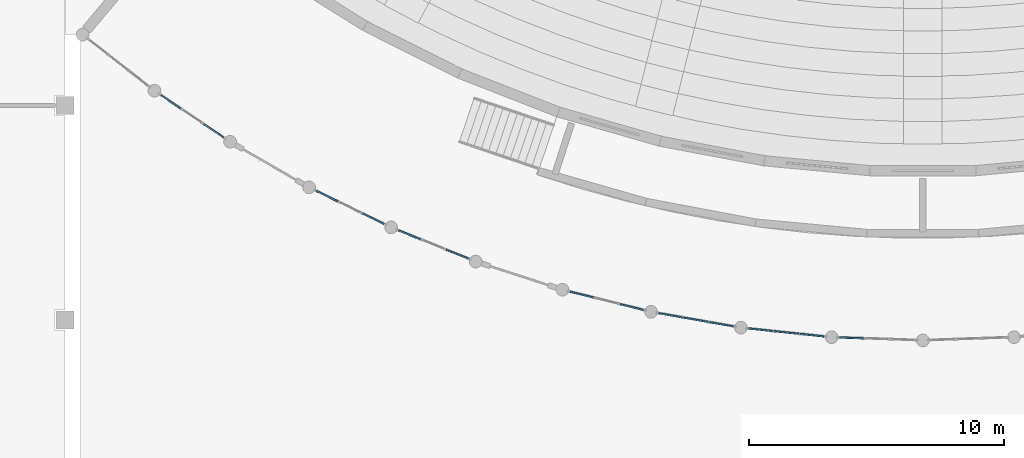
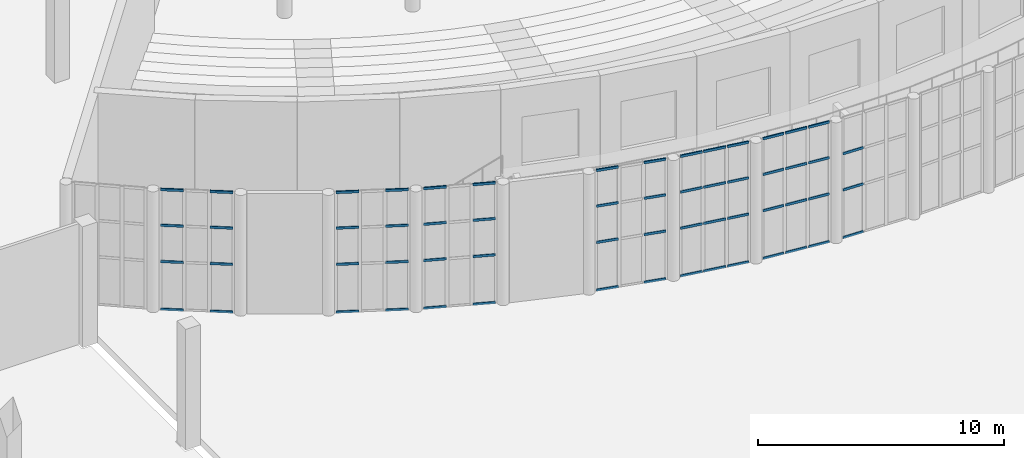
# One storey, part 74 of 210: 59 members, 7 elements without a shape of their own.
"""IFC4 building model written with IfcOpenShell, lengths in metres."""

from ifc_helpers import new_model, si_unit, direction, frame, origin, origin_2d, place, context, subcontext, project, spatial, rectangle, extrude, material, layer, layer_set, material_profile, profile_set, type_object, element, aggregate, save


model = new_model("IFC4")

# Units and contexts
model_context = context("Model", 3, precision=1e-05, world=origin(), true_north=direction((0.0, 1.0)))
body_context = subcontext(model_context, "Body", "Model", "MODEL_VIEW")
ifc_project = project(units=[si_unit("LENGTHUNIT", "METRE"), si_unit("AREAUNIT", "SQUARE_METRE"), si_unit("VOLUMEUNIT", "CUBIC_METRE"), si_unit("PLANEANGLEUNIT", "RADIAN"), si_unit("MASSUNIT", "GRAM", prefix="KILO")], contexts=[model_context])

# Site, building, storey
site_placement = place(None, origin())
site = spatial("IfcSite", under=ifc_project, at=site_placement, CompositionType="ELEMENT")
building_placement = place(site_placement, origin())
building = spatial("IfcBuilding", under=site, at=building_placement, Name="Rain Tree Exposition and Congress Centre", CompositionType="ELEMENT")
storey_placement = place(building_placement, origin())
storey = spatial("IfcBuildingStorey", under=building, at=storey_placement, Name="L00", CompositionType="ELEMENT", Elevation=0.0)

# Curtain wall, members
ifc_material_1 = material(Name="Aluminium", Category="aluminium")
ifc_layer = layer(ifc_material_1, 0.10009765625)
ifc_layer_set = layer_set([ifc_layer], Name="Aluminium")
curtain_wall_type = type_object("IfcCurtainWallType", Name="Curtain wall congress", PredefinedType="NOTDEFINED", material=ifc_layer_set)
curtain_wall_1_placement = place(storey_placement, origin())
curtain_wall_1 = element("IfcCurtainWall", 1, at=curtain_wall_1_placement, inside=storey, type_object=curtain_wall_type, Name="Curtain wall L00 bay 2", PredefinedType="NOTDEFINED")
ifc_material_2 = material(Name="Aluminium", Category="aluminium")
ifc_material_profile = material_profile(ifc_material_2, rectangle(XDim=0.06005859375, YDim=0.1201171875, at=origin_2d()), Name="AL 60x120")
ifc_profile_set = profile_set([ifc_material_profile], Name="Aluminium")
member_type = type_object("IfcMemberType", Name="Curtain wall transom 60x120 congress", PredefinedType="USERDEFINED", material=ifc_profile_set)
member_1_placement = place(storey_placement, frame((171.762451171875, 25.60498046875, 0.030029296875), z_axis=(0.828942550457, -0.559333753712, 0.0), x_axis=(0.559333753712, 0.828942550457, 0.0)))
member_1 = element("IfcMember", 2, at=member_1_placement, type_object=member_type, Name="CWG102 transom 1.1", ObjectType="TRANSOM", PredefinedType="USERDEFINED", context=body_context, shape_type="SweptSolid", body=[
    extrude(rectangle(XDim=0.06005859375, YDim=0.1201171875, at=origin_2d()), origin(), (0.0, 0.0, 1.0), 0.9345703125),
])
member_2_placement = place(storey_placement, frame((171.762451171875, 25.60498046875, 2.39990234375), z_axis=(0.828942550457, -0.559333753712, 0.0), x_axis=(0.559333753712, 0.828942550457, 0.0)))
member_2 = element("IfcMember", 3, at=member_2_placement, type_object=member_type, Name="CWG102 transom 1.2", ObjectType="TRANSOM", PredefinedType="USERDEFINED", context=body_context, shape_type="SweptSolid", body=[
    extrude(rectangle(XDim=0.06005859375, YDim=0.1201171875, at=origin_2d()), origin(), (0.0, 0.0, 1.0), 0.9345703125),
])
member_3_placement = place(storey_placement, frame((171.762451171875, 25.60498046875, 4.199951171875), z_axis=(0.828942550457, -0.559333753712, 0.0), x_axis=(0.559333753712, 0.828942550457, 0.0)))
member_3 = element("IfcMember", 4, at=member_3_placement, type_object=member_type, Name="CWG102 transom 1.3", ObjectType="TRANSOM", PredefinedType="USERDEFINED", context=body_context, shape_type="SweptSolid", body=[
    extrude(rectangle(XDim=0.06005859375, YDim=0.1201171875, at=origin_2d()), origin(), (0.0, 0.0, 1.0), 0.9345703125),
])
member_4_placement = place(storey_placement, frame((171.762451171875, 25.60498046875, 5.969970703125), z_axis=(0.828942550457, -0.559333753712, 0.0), x_axis=(0.559333753712, 0.828942550457, 0.0)))
member_4 = element("IfcMember", 5, at=member_4_placement, type_object=member_type, Name="CWG102 transom 1.4", ObjectType="TRANSOM", PredefinedType="USERDEFINED", context=body_context, shape_type="SweptSolid", body=[
    extrude(rectangle(XDim=0.06005859375, YDim=0.1201171875, at=origin_2d()), origin(), (0.0, 0.0, 1.0), 0.9345703125),
])
member_5_placement = place(storey_placement, frame((173.436279296875, 24.475830078125, 0.030029296875), z_axis=(0.829145343923, -0.559033092626, 0.0), x_axis=(0.559033092626, 0.829145343923, 0.0)))
member_5 = element("IfcMember", 6, at=member_5_placement, type_object=member_type, Name="CWG102 transom 3.1", ObjectType="TRANSOM", PredefinedType="USERDEFINED", context=body_context, shape_type="SweptSolid", body=[
    extrude(rectangle(XDim=0.06005859375, YDim=0.1201171875, at=origin_2d()), origin(), (0.0, 0.0, 1.0), 0.9345703125),
])
member_6_placement = place(storey_placement, frame((173.436279296875, 24.475830078125, 2.39990234375), z_axis=(0.829145343923, -0.559033092626, 0.0), x_axis=(0.559033092626, 0.829145343923, 0.0)))
member_6 = element("IfcMember", 7, at=member_6_placement, type_object=member_type, Name="CWG102 transom 3.2", ObjectType="TRANSOM", PredefinedType="USERDEFINED", context=body_context, shape_type="SweptSolid", body=[
    extrude(rectangle(XDim=0.06005859375, YDim=0.1201171875, at=origin_2d()), origin(), (0.0, 0.0, 1.0), 0.9345703125),
])
member_7_placement = place(storey_placement, frame((173.436279296875, 24.475830078125, 4.199951171875), z_axis=(0.829145343923, -0.559033092626, 0.0), x_axis=(0.559033092626, 0.829145343923, 0.0)))
member_7 = element("IfcMember", 8, at=member_7_placement, type_object=member_type, Name="CWG102 transom 3.3", ObjectType="TRANSOM", PredefinedType="USERDEFINED", context=body_context, shape_type="SweptSolid", body=[
    extrude(rectangle(XDim=0.06005859375, YDim=0.1201171875, at=origin_2d()), origin(), (0.0, 0.0, 1.0), 0.9345703125),
])
member_8_placement = place(storey_placement, frame((173.436279296875, 24.475830078125, 5.969970703125), z_axis=(0.829145343923, -0.559033092626, 0.0), x_axis=(0.559033092626, 0.829145343923, 0.0)))
member_8 = element("IfcMember", 9, at=member_8_placement, type_object=member_type, Name="CWG102 transom 3.4", ObjectType="TRANSOM", PredefinedType="USERDEFINED", context=body_context, shape_type="SweptSolid", body=[
    extrude(rectangle(XDim=0.06005859375, YDim=0.1201171875, at=origin_2d()), origin(), (0.0, 0.0, 1.0), 0.9345703125),
])
aggregate(curtain_wall_1, [member_1, member_2, member_3, member_4, member_5, member_6, member_7, member_8])

curtain_wall_2_placement = place(storey_placement, origin())
curtain_wall_2 = element("IfcCurtainWall", 10, at=curtain_wall_2_placement, inside=storey, type_object=curtain_wall_type, Name="Curtain wall L00 bay 4", PredefinedType="NOTDEFINED")
member_9_placement = place(storey_placement, frame((177.841796875, 21.857177734375, 0.030029296875), z_axis=(0.89877346762, -0.438413336821, 0.0), x_axis=(0.438413336821, 0.89877346762, 0.0)))
member_9 = element("IfcMember", 11, at=member_9_placement, type_object=member_type, Name="CWG104 transom 1.1", ObjectType="TRANSOM", PredefinedType="USERDEFINED", context=body_context, shape_type="SweptSolid", body=[
    extrude(rectangle(XDim=0.06005859375, YDim=0.1201171875, at=origin_2d()), origin(), (0.0, 0.0, 1.0), 0.934326171875),
])
member_10_placement = place(storey_placement, frame((177.841796875, 21.857177734375, 2.39990234375), z_axis=(0.89877346762, -0.438413336821, 0.0), x_axis=(0.438413336821, 0.89877346762, 0.0)))
member_10 = element("IfcMember", 12, at=member_10_placement, type_object=member_type, Name="CWG104 transom 1.2", ObjectType="TRANSOM", PredefinedType="USERDEFINED", context=body_context, shape_type="SweptSolid", body=[
    extrude(rectangle(XDim=0.06005859375, YDim=0.1201171875, at=origin_2d()), origin(), (0.0, 0.0, 1.0), 0.934326171875),
])
member_11_placement = place(storey_placement, frame((177.841796875, 21.857177734375, 4.199951171875), z_axis=(0.89877346762, -0.438413336821, 0.0), x_axis=(0.438413336821, 0.89877346762, 0.0)))
member_11 = element("IfcMember", 13, at=member_11_placement, type_object=member_type, Name="CWG104 transom 1.3", ObjectType="TRANSOM", PredefinedType="USERDEFINED", context=body_context, shape_type="SweptSolid", body=[
    extrude(rectangle(XDim=0.06005859375, YDim=0.1201171875, at=origin_2d()), origin(), (0.0, 0.0, 1.0), 0.934326171875),
])
member_12_placement = place(storey_placement, frame((177.841796875, 21.857177734375, 5.969970703125), z_axis=(0.89877346762, -0.438413336821, 0.0), x_axis=(0.438413336821, 0.89877346762, 0.0)))
member_12 = element("IfcMember", 14, at=member_12_placement, type_object=member_type, Name="CWG104 transom 1.4", ObjectType="TRANSOM", PredefinedType="USERDEFINED", context=body_context, shape_type="SweptSolid", body=[
    extrude(rectangle(XDim=0.06005859375, YDim=0.1201171875, at=origin_2d()), origin(), (0.0, 0.0, 1.0), 0.934326171875),
])
member_13_placement = place(storey_placement, frame((179.656494140625, 20.97216796875, 0.030029296875), z_axis=(0.898823667925, -0.438310408247, 0.0), x_axis=(0.438310408247, 0.898823667925, 0.0)))
member_13 = element("IfcMember", 15, at=member_13_placement, type_object=member_type, Name="CWG104 transom 3.1", ObjectType="TRANSOM", PredefinedType="USERDEFINED", context=body_context, shape_type="SweptSolid", body=[
    extrude(rectangle(XDim=0.06005859375, YDim=0.1201171875, at=origin_2d()), origin(), (0.0, 0.0, 1.0), 0.9345703125),
])
member_14_placement = place(storey_placement, frame((179.656494140625, 20.97216796875, 2.39990234375), z_axis=(0.898823667925, -0.438310408247, 0.0), x_axis=(0.438310408247, 0.898823667925, 0.0)))
member_14 = element("IfcMember", 16, at=member_14_placement, type_object=member_type, Name="CWG104 transom 3.2", ObjectType="TRANSOM", PredefinedType="USERDEFINED", context=body_context, shape_type="SweptSolid", body=[
    extrude(rectangle(XDim=0.06005859375, YDim=0.1201171875, at=origin_2d()), origin(), (0.0, 0.0, 1.0), 0.9345703125),
])
member_15_placement = place(storey_placement, frame((179.656494140625, 20.97216796875, 4.199951171875), z_axis=(0.898823667925, -0.438310408247, 0.0), x_axis=(0.438310408247, 0.898823667925, 0.0)))
member_15 = element("IfcMember", 17, at=member_15_placement, type_object=member_type, Name="CWG104 transom 3.3", ObjectType="TRANSOM", PredefinedType="USERDEFINED", context=body_context, shape_type="SweptSolid", body=[
    extrude(rectangle(XDim=0.06005859375, YDim=0.1201171875, at=origin_2d()), origin(), (0.0, 0.0, 1.0), 0.9345703125),
])
member_16_placement = place(storey_placement, frame((179.656494140625, 20.97216796875, 5.969970703125), z_axis=(0.898823667925, -0.438310408247, 0.0), x_axis=(0.438310408247, 0.898823667925, 0.0)))
member_16 = element("IfcMember", 18, at=member_16_placement, type_object=member_type, Name="CWG104 transom 3.4", ObjectType="TRANSOM", PredefinedType="USERDEFINED", context=body_context, shape_type="SweptSolid", body=[
    extrude(rectangle(XDim=0.06005859375, YDim=0.1201171875, at=origin_2d()), origin(), (0.0, 0.0, 1.0), 0.9345703125),
])
aggregate(curtain_wall_2, [member_9, member_10, member_11, member_12, member_13, member_14, member_15, member_16])

curtain_wall_3_placement = place(storey_placement, origin())
curtain_wall_3 = element("IfcCurtainWall", 19, at=curtain_wall_3_placement, inside=storey, type_object=curtain_wall_type, Name="Curtain wall L00 bay 5", PredefinedType="NOTDEFINED")
member_17_placement = place(storey_placement, frame((181.0625, 20.310302734375, 0.030029296875), z_axis=(0.927173788996, -0.374631505613, 0.0), x_axis=(0.374631505613, 0.927173788996, 0.0)))
member_17 = element("IfcMember", 20, at=member_17_placement, type_object=member_type, Name="CWG105 transom 1.1", ObjectType="TRANSOM", PredefinedType="USERDEFINED", context=body_context, shape_type="SweptSolid", body=[
    extrude(rectangle(XDim=0.06005859375, YDim=0.1201171875, at=origin_2d()), origin(), (0.0, 0.0, 1.0), 0.9345703125),
])
member_18_placement = place(storey_placement, frame((181.0625, 20.310302734375, 2.39990234375), z_axis=(0.927173788996, -0.374631505613, 0.0), x_axis=(0.374631505613, 0.927173788996, 0.0)))
member_18 = element("IfcMember", 21, at=member_18_placement, type_object=member_type, Name="CWG105 transom 1.2", ObjectType="TRANSOM", PredefinedType="USERDEFINED", context=body_context, shape_type="SweptSolid", body=[
    extrude(rectangle(XDim=0.06005859375, YDim=0.1201171875, at=origin_2d()), origin(), (0.0, 0.0, 1.0), 0.9345703125),
])
member_19_placement = place(storey_placement, frame((181.0625, 20.310302734375, 4.199951171875), z_axis=(0.927173788996, -0.374631505613, 0.0), x_axis=(0.374631505613, 0.927173788996, 0.0)))
member_19 = element("IfcMember", 22, at=member_19_placement, type_object=member_type, Name="CWG105 transom 1.3", ObjectType="TRANSOM", PredefinedType="USERDEFINED", context=body_context, shape_type="SweptSolid", body=[
    extrude(rectangle(XDim=0.06005859375, YDim=0.1201171875, at=origin_2d()), origin(), (0.0, 0.0, 1.0), 0.9345703125),
])
member_20_placement = place(storey_placement, frame((181.0625, 20.310302734375, 5.969970703125), z_axis=(0.927173788996, -0.374631505613, 0.0), x_axis=(0.374631505613, 0.927173788996, 0.0)))
member_20 = element("IfcMember", 23, at=member_20_placement, type_object=member_type, Name="CWG105 transom 1.4", ObjectType="TRANSOM", PredefinedType="USERDEFINED", context=body_context, shape_type="SweptSolid", body=[
    extrude(rectangle(XDim=0.06005859375, YDim=0.1201171875, at=origin_2d()), origin(), (0.0, 0.0, 1.0), 0.9345703125),
])
member_21_placement = place(storey_placement, frame((182.9345703125, 19.553955078125, 0.030029296875), z_axis=(0.927210441696, -0.374540781237, 0.0), x_axis=(0.374540781237, 0.927210441696, 0.0)))
member_21 = element("IfcMember", 24, at=member_21_placement, type_object=member_type, Name="CWG105 transom 3.1", ObjectType="TRANSOM", PredefinedType="USERDEFINED", context=body_context, shape_type="SweptSolid", body=[
    extrude(rectangle(XDim=0.06005859375, YDim=0.1201171875, at=origin_2d()), origin(), (0.0, 0.0, 1.0), 0.934814453125),
])
member_22_placement = place(storey_placement, frame((182.9345703125, 19.553955078125, 2.39990234375), z_axis=(0.927210441696, -0.374540781237, 0.0), x_axis=(0.374540781237, 0.927210441696, 0.0)))
member_22 = element("IfcMember", 25, at=member_22_placement, type_object=member_type, Name="CWG105 transom 3.2", ObjectType="TRANSOM", PredefinedType="USERDEFINED", context=body_context, shape_type="SweptSolid", body=[
    extrude(rectangle(XDim=0.06005859375, YDim=0.1201171875, at=origin_2d()), origin(), (0.0, 0.0, 1.0), 0.934814453125),
])
member_23_placement = place(storey_placement, frame((182.9345703125, 19.553955078125, 4.199951171875), z_axis=(0.927210441696, -0.374540781237, 0.0), x_axis=(0.374540781237, 0.927210441696, 0.0)))
member_23 = element("IfcMember", 26, at=member_23_placement, type_object=member_type, Name="CWG105 transom 3.3", ObjectType="TRANSOM", PredefinedType="USERDEFINED", context=body_context, shape_type="SweptSolid", body=[
    extrude(rectangle(XDim=0.06005859375, YDim=0.1201171875, at=origin_2d()), origin(), (0.0, 0.0, 1.0), 0.934814453125),
])
member_24_placement = place(storey_placement, frame((182.9345703125, 19.553955078125, 5.969970703125), z_axis=(0.927210441696, -0.374540781237, 0.0), x_axis=(0.374540781237, 0.927210441696, 0.0)))
member_24 = element("IfcMember", 27, at=member_24_placement, type_object=member_type, Name="CWG105 transom 3.4", ObjectType="TRANSOM", PredefinedType="USERDEFINED", context=body_context, shape_type="SweptSolid", body=[
    extrude(rectangle(XDim=0.06005859375, YDim=0.1201171875, at=origin_2d()), origin(), (0.0, 0.0, 1.0), 0.934814453125),
])
aggregate(curtain_wall_3, [member_17, member_18, member_19, member_20, member_21, member_22, member_23, member_24])

curtain_wall_4_placement = place(storey_placement, origin())
curtain_wall_4 = element("IfcCurtainWall", 28, at=curtain_wall_4_placement, inside=storey, type_object=curtain_wall_type, Name="Curtain wall L00 bay 7", PredefinedType="NOTDEFINED")
member_25_placement = place(storey_placement, frame((187.7880859375, 17.908447265625, 0.030029296875), z_axis=(0.970295984, -0.241920861923, 0.0), x_axis=(0.241920861923, 0.970295984, 0.0)))
member_25 = element("IfcMember", 29, at=member_25_placement, type_object=member_type, Name="CWG107 transom 1.1", ObjectType="TRANSOM", PredefinedType="USERDEFINED", context=body_context, shape_type="SweptSolid", body=[
    extrude(rectangle(XDim=0.06005859375, YDim=0.1201171875, at=origin_2d()), origin(), (0.0, 0.0, 1.0), 0.9345703125),
])
member_26_placement = place(storey_placement, frame((187.7880859375, 17.908447265625, 2.39990234375), z_axis=(0.970295984, -0.241920861923, 0.0), x_axis=(0.241920861923, 0.970295984, 0.0)))
member_26 = element("IfcMember", 30, at=member_26_placement, type_object=member_type, Name="CWG107 transom 1.2", ObjectType="TRANSOM", PredefinedType="USERDEFINED", context=body_context, shape_type="SweptSolid", body=[
    extrude(rectangle(XDim=0.06005859375, YDim=0.1201171875, at=origin_2d()), origin(), (0.0, 0.0, 1.0), 0.9345703125),
])
member_27_placement = place(storey_placement, frame((187.7880859375, 17.908447265625, 4.199951171875), z_axis=(0.970295984, -0.241920861923, 0.0), x_axis=(0.241920861923, 0.970295984, 0.0)))
member_27 = element("IfcMember", 31, at=member_27_placement, type_object=member_type, Name="CWG107 transom 1.3", ObjectType="TRANSOM", PredefinedType="USERDEFINED", context=body_context, shape_type="SweptSolid", body=[
    extrude(rectangle(XDim=0.06005859375, YDim=0.1201171875, at=origin_2d()), origin(), (0.0, 0.0, 1.0), 0.9345703125),
])
member_28_placement = place(storey_placement, frame((187.7880859375, 17.908447265625, 5.969970703125), z_axis=(0.970295984, -0.241920861923, 0.0), x_axis=(0.241920861923, 0.970295984, 0.0)))
member_28 = element("IfcMember", 32, at=member_28_placement, type_object=member_type, Name="CWG107 transom 1.4", ObjectType="TRANSOM", PredefinedType="USERDEFINED", context=body_context, shape_type="SweptSolid", body=[
    extrude(rectangle(XDim=0.06005859375, YDim=0.1201171875, at=origin_2d()), origin(), (0.0, 0.0, 1.0), 0.9345703125),
])
member_29_placement = place(storey_placement, frame((189.747314453125, 17.419921875, 0.030029296875), z_axis=(0.970295984, -0.241920861923, 0.0), x_axis=(0.241920861923, 0.970295984, 0.0)))
member_29 = element("IfcMember", 33, at=member_29_placement, type_object=member_type, Name="CWG107 transom 3.1", ObjectType="TRANSOM", PredefinedType="USERDEFINED", context=body_context, shape_type="SweptSolid", body=[
    extrude(rectangle(XDim=0.06005859375, YDim=0.1201171875, at=origin_2d()), origin(), (0.0, 0.0, 1.0), 0.9345703125),
])
member_30_placement = place(storey_placement, frame((189.747314453125, 17.419921875, 2.39990234375), z_axis=(0.970295984, -0.241920861923, 0.0), x_axis=(0.241920861923, 0.970295984, 0.0)))
member_30 = element("IfcMember", 34, at=member_30_placement, type_object=member_type, Name="CWG107 transom 3.2", ObjectType="TRANSOM", PredefinedType="USERDEFINED", context=body_context, shape_type="SweptSolid", body=[
    extrude(rectangle(XDim=0.06005859375, YDim=0.1201171875, at=origin_2d()), origin(), (0.0, 0.0, 1.0), 0.9345703125),
])
member_31_placement = place(storey_placement, frame((189.747314453125, 17.419921875, 4.199951171875), z_axis=(0.970295984, -0.241920861923, 0.0), x_axis=(0.241920861923, 0.970295984, 0.0)))
member_31 = element("IfcMember", 35, at=member_31_placement, type_object=member_type, Name="CWG107 transom 3.3", ObjectType="TRANSOM", PredefinedType="USERDEFINED", context=body_context, shape_type="SweptSolid", body=[
    extrude(rectangle(XDim=0.06005859375, YDim=0.1201171875, at=origin_2d()), origin(), (0.0, 0.0, 1.0), 0.9345703125),
])
member_32_placement = place(storey_placement, frame((189.747314453125, 17.419921875, 5.969970703125), z_axis=(0.970295984, -0.241920861923, 0.0), x_axis=(0.241920861923, 0.970295984, 0.0)))
member_32 = element("IfcMember", 36, at=member_32_placement, type_object=member_type, Name="CWG107 transom 3.4", ObjectType="TRANSOM", PredefinedType="USERDEFINED", context=body_context, shape_type="SweptSolid", body=[
    extrude(rectangle(XDim=0.06005859375, YDim=0.1201171875, at=origin_2d()), origin(), (0.0, 0.0, 1.0), 0.9345703125),
])
aggregate(curtain_wall_4, [member_25, member_26, member_27, member_28, member_29, member_30, member_31, member_32])

curtain_wall_5_placement = place(storey_placement, origin())
curtain_wall_5 = element("IfcCurtainWall", 37, at=curtain_wall_5_placement, inside=storey, type_object=curtain_wall_type, Name="Curtain wall L00 bay 8", PredefinedType="NOTDEFINED")
member_33_placement = place(storey_placement, frame((191.26025390625, 17.06494140625, 0.030029296875), z_axis=(0.984796704621, -0.173710824555, 0.0), x_axis=(0.173710824555, 0.984796704621, 0.0)))
member_33 = element("IfcMember", 38, at=member_33_placement, type_object=member_type, Name="CWG108 transom 1.1", ObjectType="TRANSOM", PredefinedType="USERDEFINED", context=body_context, shape_type="SweptSolid", body=[
    extrude(rectangle(XDim=0.06005859375, YDim=0.1201171875, at=origin_2d()), origin(), (0.0, 0.0, 1.0), 0.9345703125),
])
member_34_placement = place(storey_placement, frame((191.26025390625, 17.06494140625, 2.39990234375), z_axis=(0.984796704621, -0.173710824555, 0.0), x_axis=(0.173710824555, 0.984796704621, 0.0)))
member_34 = element("IfcMember", 39, at=member_34_placement, type_object=member_type, Name="CWG108 transom 1.2", ObjectType="TRANSOM", PredefinedType="USERDEFINED", context=body_context, shape_type="SweptSolid", body=[
    extrude(rectangle(XDim=0.06005859375, YDim=0.1201171875, at=origin_2d()), origin(), (0.0, 0.0, 1.0), 0.9345703125),
])
member_35_placement = place(storey_placement, frame((191.26025390625, 17.06494140625, 4.199951171875), z_axis=(0.984796704621, -0.173710824555, 0.0), x_axis=(0.173710824555, 0.984796704621, 0.0)))
member_35 = element("IfcMember", 40, at=member_35_placement, type_object=member_type, Name="CWG108 transom 1.3", ObjectType="TRANSOM", PredefinedType="USERDEFINED", context=body_context, shape_type="SweptSolid", body=[
    extrude(rectangle(XDim=0.06005859375, YDim=0.1201171875, at=origin_2d()), origin(), (0.0, 0.0, 1.0), 0.9345703125),
])
member_36_placement = place(storey_placement, frame((191.26025390625, 17.06494140625, 5.969970703125), z_axis=(0.984796704621, -0.173710824555, 0.0), x_axis=(0.173710824555, 0.984796704621, 0.0)))
member_36 = element("IfcMember", 41, at=member_36_placement, type_object=member_type, Name="CWG108 transom 1.4", ObjectType="TRANSOM", PredefinedType="USERDEFINED", context=body_context, shape_type="SweptSolid", body=[
    extrude(rectangle(XDim=0.06005859375, YDim=0.1201171875, at=origin_2d()), origin(), (0.0, 0.0, 1.0), 0.9345703125),
])
member_37_placement = place(storey_placement, frame((192.23974609375, 16.892333984375, 0.030029296875), z_axis=(0.984803941004, -0.173669795252, 0.0), x_axis=(0.173669795252, 0.984803941004, 0.0)))
member_37 = element("IfcMember", 42, at=member_37_placement, type_object=member_type, Name="CWG108 transom 2.1", ObjectType="TRANSOM", PredefinedType="USERDEFINED", context=body_context, shape_type="SweptSolid", body=[
    extrude(rectangle(XDim=0.06005859375, YDim=0.1201171875, at=origin_2d()), origin(), (0.0, 0.0, 1.0), 0.96435546875),
])
member_38_placement = place(storey_placement, frame((192.23974609375, 16.892333984375, 2.39990234375), z_axis=(0.984803941004, -0.173669795252, 0.0), x_axis=(0.173669795252, 0.984803941004, 0.0)))
member_38 = element("IfcMember", 43, at=member_38_placement, type_object=member_type, Name="CWG108 transom 2.2", ObjectType="TRANSOM", PredefinedType="USERDEFINED", context=body_context, shape_type="SweptSolid", body=[
    extrude(rectangle(XDim=0.06005859375, YDim=0.1201171875, at=origin_2d()), origin(), (0.0, 0.0, 1.0), 0.96435546875),
])
member_39_placement = place(storey_placement, frame((192.23974609375, 16.892333984375, 4.199951171875), z_axis=(0.984803941004, -0.173669795252, 0.0), x_axis=(0.173669795252, 0.984803941004, 0.0)))
member_39 = element("IfcMember", 44, at=member_39_placement, type_object=member_type, Name="CWG108 transom 2.3", ObjectType="TRANSOM", PredefinedType="USERDEFINED", context=body_context, shape_type="SweptSolid", body=[
    extrude(rectangle(XDim=0.06005859375, YDim=0.1201171875, at=origin_2d()), origin(), (0.0, 0.0, 1.0), 0.96435546875),
])
member_40_placement = place(storey_placement, frame((192.23974609375, 16.892333984375, 5.969970703125), z_axis=(0.984803941004, -0.173669795252, 0.0), x_axis=(0.173669795252, 0.984803941004, 0.0)))
member_40 = element("IfcMember", 45, at=member_40_placement, type_object=member_type, Name="CWG108 transom 2.4", ObjectType="TRANSOM", PredefinedType="USERDEFINED", context=body_context, shape_type="SweptSolid", body=[
    extrude(rectangle(XDim=0.06005859375, YDim=0.1201171875, at=origin_2d()), origin(), (0.0, 0.0, 1.0), 0.96435546875),
])
member_41_placement = place(storey_placement, frame((193.24853515625, 16.71435546875, 0.030029296875), z_axis=(0.984796704621, -0.173710824555, 0.0), x_axis=(0.173710824555, 0.984796704621, 0.0)))
member_41 = element("IfcMember", 46, at=member_41_placement, type_object=member_type, Name="CWG108 transom 3.1", ObjectType="TRANSOM", PredefinedType="USERDEFINED", context=body_context, shape_type="SweptSolid", body=[
    extrude(rectangle(XDim=0.06005859375, YDim=0.1201171875, at=origin_2d()), origin(), (0.0, 0.0, 1.0), 0.9345703125),
])
member_42_placement = place(storey_placement, frame((193.24853515625, 16.71435546875, 2.39990234375), z_axis=(0.984796704621, -0.173710824555, 0.0), x_axis=(0.173710824555, 0.984796704621, 0.0)))
member_42 = element("IfcMember", 47, at=member_42_placement, type_object=member_type, Name="CWG108 transom 3.2", ObjectType="TRANSOM", PredefinedType="USERDEFINED", context=body_context, shape_type="SweptSolid", body=[
    extrude(rectangle(XDim=0.06005859375, YDim=0.1201171875, at=origin_2d()), origin(), (0.0, 0.0, 1.0), 0.9345703125),
])
member_43_placement = place(storey_placement, frame((193.24853515625, 16.71435546875, 4.199951171875), z_axis=(0.984796704621, -0.173710824555, 0.0), x_axis=(0.173710824555, 0.984796704621, 0.0)))
member_43 = element("IfcMember", 48, at=member_43_placement, type_object=member_type, Name="CWG108 transom 3.3", ObjectType="TRANSOM", PredefinedType="USERDEFINED", context=body_context, shape_type="SweptSolid", body=[
    extrude(rectangle(XDim=0.06005859375, YDim=0.1201171875, at=origin_2d()), origin(), (0.0, 0.0, 1.0), 0.9345703125),
])
member_44_placement = place(storey_placement, frame((193.24853515625, 16.71435546875, 5.969970703125), z_axis=(0.984796704621, -0.173710824555, 0.0), x_axis=(0.173710824555, 0.984796704621, 0.0)))
member_44 = element("IfcMember", 49, at=member_44_placement, type_object=member_type, Name="CWG108 transom 3.4", ObjectType="TRANSOM", PredefinedType="USERDEFINED", context=body_context, shape_type="SweptSolid", body=[
    extrude(rectangle(XDim=0.06005859375, YDim=0.1201171875, at=origin_2d()), origin(), (0.0, 0.0, 1.0), 0.9345703125),
])
aggregate(curtain_wall_5, [member_33, member_34, member_35, member_36, member_37, member_38, member_39, member_40, member_41, member_42, member_43, member_44])

curtain_wall_6_placement = place(storey_placement, origin())
curtain_wall_6 = element("IfcCurtainWall", 50, at=curtain_wall_6_placement, inside=storey, type_object=curtain_wall_type, Name="Curtain wall L00 bay 9", PredefinedType="NOTDEFINED")
member_45_placement = place(storey_placement, frame((194.78271484375, 16.4658203125, 0.030029296875), z_axis=(0.994525474721, -0.104494402387, 0.0), x_axis=(0.104494402387, 0.994525474721, 0.0)))
member_45 = element("IfcMember", 51, at=member_45_placement, type_object=member_type, Name="CWG109 transom 1.1", ObjectType="TRANSOM", PredefinedType="USERDEFINED", context=body_context, shape_type="SweptSolid", body=[
    extrude(rectangle(XDim=0.06005859375, YDim=0.1201171875, at=origin_2d()), origin(), (0.0, 0.0, 1.0), 0.9345703125),
])
member_46_placement = place(storey_placement, frame((194.78271484375, 16.4658203125, 2.39990234375), z_axis=(0.994525474721, -0.104494402387, 0.0), x_axis=(0.104494402387, 0.994525474721, 0.0)))
member_46 = element("IfcMember", 52, at=member_46_placement, type_object=member_type, Name="CWG109 transom 1.2", ObjectType="TRANSOM", PredefinedType="USERDEFINED", context=body_context, shape_type="SweptSolid", body=[
    extrude(rectangle(XDim=0.06005859375, YDim=0.1201171875, at=origin_2d()), origin(), (0.0, 0.0, 1.0), 0.9345703125),
])
member_47_placement = place(storey_placement, frame((194.78271484375, 16.4658203125, 4.199951171875), z_axis=(0.994525474721, -0.104494402387, 0.0), x_axis=(0.104494402387, 0.994525474721, 0.0)))
member_47 = element("IfcMember", 53, at=member_47_placement, type_object=member_type, Name="CWG109 transom 1.3", ObjectType="TRANSOM", PredefinedType="USERDEFINED", context=body_context, shape_type="SweptSolid", body=[
    extrude(rectangle(XDim=0.06005859375, YDim=0.1201171875, at=origin_2d()), origin(), (0.0, 0.0, 1.0), 0.9345703125),
])
member_48_placement = place(storey_placement, frame((194.78271484375, 16.4658203125, 5.969970703125), z_axis=(0.994525474721, -0.104494402387, 0.0), x_axis=(0.104494402387, 0.994525474721, 0.0)))
member_48 = element("IfcMember", 54, at=member_48_placement, type_object=member_type, Name="CWG109 transom 1.4", ObjectType="TRANSOM", PredefinedType="USERDEFINED", context=body_context, shape_type="SweptSolid", body=[
    extrude(rectangle(XDim=0.06005859375, YDim=0.1201171875, at=origin_2d()), origin(), (0.0, 0.0, 1.0), 0.9345703125),
])
member_49_placement = place(storey_placement, frame((195.771728515625, 16.36181640625, 0.030029296875), z_axis=(0.994520699095, -0.10453984442, 0.0), x_axis=(0.10453984442, 0.994520699095, 0.0)))
member_49 = element("IfcMember", 55, at=member_49_placement, type_object=member_type, Name="CWG109 transom 2.1", ObjectType="TRANSOM", PredefinedType="USERDEFINED", context=body_context, shape_type="SweptSolid", body=[
    extrude(rectangle(XDim=0.06005859375, YDim=0.1201171875, at=origin_2d()), origin(), (0.0, 0.0, 1.0), 0.964599609375),
])
member_50_placement = place(storey_placement, frame((195.771728515625, 16.36181640625, 2.39990234375), z_axis=(0.994520699095, -0.10453984442, 0.0), x_axis=(0.10453984442, 0.994520699095, 0.0)))
member_50 = element("IfcMember", 56, at=member_50_placement, type_object=member_type, Name="CWG109 transom 2.2", ObjectType="TRANSOM", PredefinedType="USERDEFINED", context=body_context, shape_type="SweptSolid", body=[
    extrude(rectangle(XDim=0.06005859375, YDim=0.1201171875, at=origin_2d()), origin(), (0.0, 0.0, 1.0), 0.964599609375),
])
member_51_placement = place(storey_placement, frame((195.771728515625, 16.36181640625, 4.199951171875), z_axis=(0.994520699095, -0.10453984442, 0.0), x_axis=(0.10453984442, 0.994520699095, 0.0)))
member_51 = element("IfcMember", 57, at=member_51_placement, type_object=member_type, Name="CWG109 transom 2.3", ObjectType="TRANSOM", PredefinedType="USERDEFINED", context=body_context, shape_type="SweptSolid", body=[
    extrude(rectangle(XDim=0.06005859375, YDim=0.1201171875, at=origin_2d()), origin(), (0.0, 0.0, 1.0), 0.964599609375),
])
member_52_placement = place(storey_placement, frame((195.771728515625, 16.36181640625, 5.969970703125), z_axis=(0.994520699095, -0.10453984442, 0.0), x_axis=(0.10453984442, 0.994520699095, 0.0)))
member_52 = element("IfcMember", 58, at=member_52_placement, type_object=member_type, Name="CWG109 transom 2.4", ObjectType="TRANSOM", PredefinedType="USERDEFINED", context=body_context, shape_type="SweptSolid", body=[
    extrude(rectangle(XDim=0.06005859375, YDim=0.1201171875, at=origin_2d()), origin(), (0.0, 0.0, 1.0), 0.964599609375),
])
member_53_placement = place(storey_placement, frame((196.790771484375, 16.2548828125, 0.030029296875), z_axis=(0.994525474721, -0.104494402387, 0.0), x_axis=(0.104494402387, 0.994525474721, 0.0)))
member_53 = element("IfcMember", 59, at=member_53_placement, type_object=member_type, Name="CWG109 transom 3.1", ObjectType="TRANSOM", PredefinedType="USERDEFINED", context=body_context, shape_type="SweptSolid", body=[
    extrude(rectangle(XDim=0.06005859375, YDim=0.1201171875, at=origin_2d()), origin(), (0.0, 0.0, 1.0), 0.9345703125),
])
member_54_placement = place(storey_placement, frame((196.790771484375, 16.2548828125, 2.39990234375), z_axis=(0.994525474721, -0.104494402387, 0.0), x_axis=(0.104494402387, 0.994525474721, 0.0)))
member_54 = element("IfcMember", 60, at=member_54_placement, type_object=member_type, Name="CWG109 transom 3.2", ObjectType="TRANSOM", PredefinedType="USERDEFINED", context=body_context, shape_type="SweptSolid", body=[
    extrude(rectangle(XDim=0.06005859375, YDim=0.1201171875, at=origin_2d()), origin(), (0.0, 0.0, 1.0), 0.9345703125),
])
member_55_placement = place(storey_placement, frame((196.790771484375, 16.2548828125, 4.199951171875), z_axis=(0.994525474721, -0.104494402387, 0.0), x_axis=(0.104494402387, 0.994525474721, 0.0)))
member_55 = element("IfcMember", 61, at=member_55_placement, type_object=member_type, Name="CWG109 transom 3.3", ObjectType="TRANSOM", PredefinedType="USERDEFINED", context=body_context, shape_type="SweptSolid", body=[
    extrude(rectangle(XDim=0.06005859375, YDim=0.1201171875, at=origin_2d()), origin(), (0.0, 0.0, 1.0), 0.9345703125),
])
member_56_placement = place(storey_placement, frame((196.790771484375, 16.2548828125, 5.969970703125), z_axis=(0.994525474721, -0.104494402387, 0.0), x_axis=(0.104494402387, 0.994525474721, 0.0)))
member_56 = element("IfcMember", 62, at=member_56_placement, type_object=member_type, Name="CWG109 transom 3.4", ObjectType="TRANSOM", PredefinedType="USERDEFINED", context=body_context, shape_type="SweptSolid", body=[
    extrude(rectangle(XDim=0.06005859375, YDim=0.1201171875, at=origin_2d()), origin(), (0.0, 0.0, 1.0), 0.9345703125),
])
aggregate(curtain_wall_6, [member_45, member_46, member_47, member_48, member_49, member_50, member_51, member_52, member_53, member_54, member_55, member_56])

curtain_wall_7_placement = place(storey_placement, origin())
curtain_wall_7 = element("IfcCurtainWall", 63, at=curtain_wall_7_placement, inside=storey, type_object=curtain_wall_type, Name="Curtain wall L00 bay 10", PredefinedType="NOTDEFINED")
member_57_placement = place(storey_placement, frame((198.33837890625, 16.114013671875, 0.030029296875), z_axis=(0.999386919937, -0.035011201901, 0.0), x_axis=(0.035011201901, 0.999386919937, 0.0)))
member_57 = element("IfcMember", 64, at=member_57_placement, type_object=member_type, Name="CWG110 transom 1.1", ObjectType="TRANSOM", PredefinedType="USERDEFINED", context=body_context, shape_type="SweptSolid", body=[
    extrude(rectangle(XDim=0.06005859375, YDim=0.1201171875, at=origin_2d()), origin(), (0.0, 0.0, 1.0), 0.934326171875),
])
member_58_placement = place(storey_placement, frame((198.33837890625, 16.114013671875, 2.39990234375), z_axis=(0.999386919937, -0.035011201901, 0.0), x_axis=(0.035011201901, 0.999386919937, 0.0)))
member_58 = element("IfcMember", 65, at=member_58_placement, type_object=member_type, Name="CWG110 transom 1.2", ObjectType="TRANSOM", PredefinedType="USERDEFINED", context=body_context, shape_type="SweptSolid", body=[
    extrude(rectangle(XDim=0.06005859375, YDim=0.1201171875, at=origin_2d()), origin(), (0.0, 0.0, 1.0), 0.934326171875),
])
member_59_placement = place(storey_placement, frame((198.33837890625, 16.114013671875, 4.199951171875), z_axis=(0.999386919937, -0.035011201901, 0.0), x_axis=(0.035011201901, 0.999386919937, 0.0)))
member_59 = element("IfcMember", 66, at=member_59_placement, type_object=member_type, Name="CWG110 transom 1.3", ObjectType="TRANSOM", PredefinedType="USERDEFINED", context=body_context, shape_type="SweptSolid", body=[
    extrude(rectangle(XDim=0.06005859375, YDim=0.1201171875, at=origin_2d()), origin(), (0.0, 0.0, 1.0), 0.934326171875),
])
aggregate(curtain_wall_7, [member_57, member_58, member_59])

save(model, "model.ifc")
